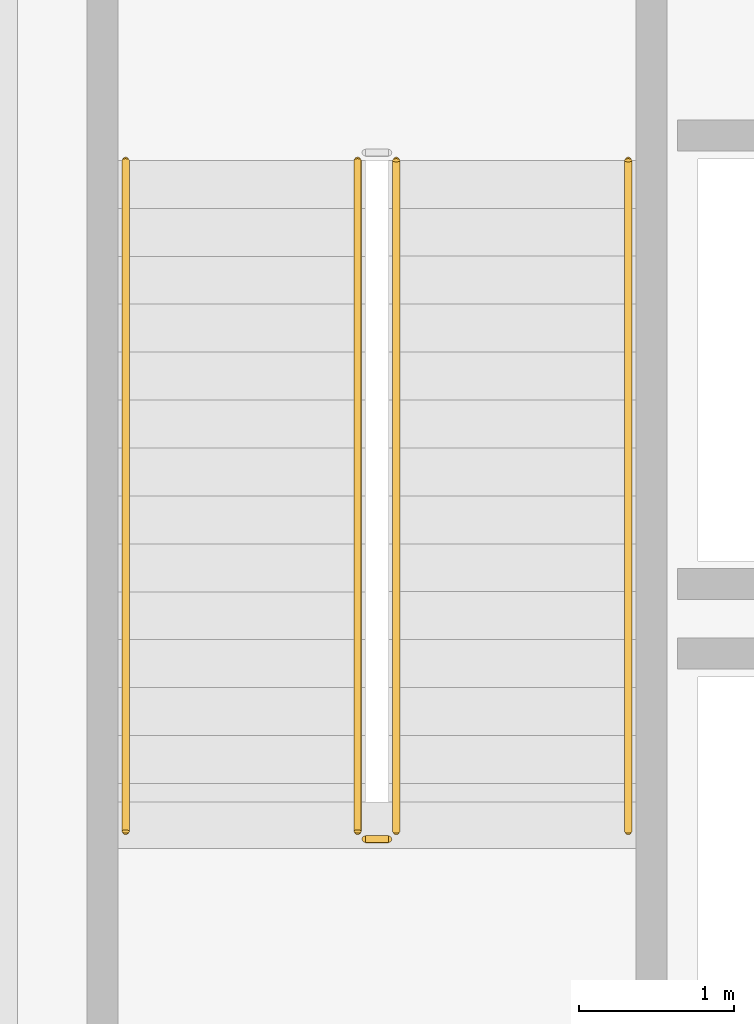
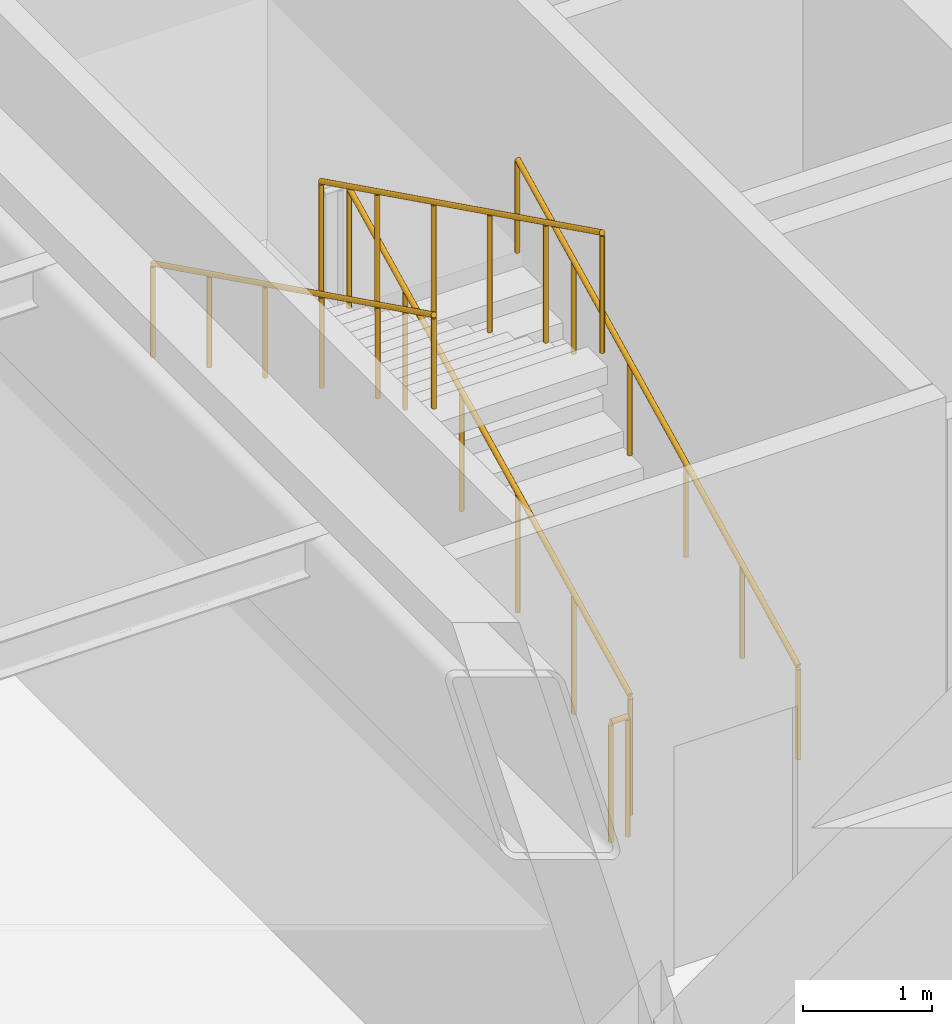
# One storey, part 15 of 20: 5 railings.
"""IFC4 building model written with IfcOpenShell, lengths in metres."""

from ifc_helpers import new_model, si_unit, direction, frame, origin, origin_2d, place, context, subcontext, project, spatial, circle, extrude, material, type_object, element, save


model = new_model("IFC4")

# Units and contexts
model_context = context("Model", 3, precision=1e-05, world=origin(), true_north=direction((0.0, 1.0)))
body_context = subcontext(model_context, "Body", "Model", "MODEL_VIEW")
ifc_project = project(units=[si_unit("LENGTHUNIT", "METRE"), si_unit("AREAUNIT", "SQUARE_METRE"), si_unit("VOLUMEUNIT", "CUBIC_METRE"), si_unit("PLANEANGLEUNIT", "RADIAN"), si_unit("MASSUNIT", "GRAM", prefix="KILO")], contexts=[model_context])

# Site, building, storey
site_placement = place(None, origin())
site = spatial("IfcSite", under=ifc_project, at=site_placement, CompositionType="ELEMENT")
building_placement = place(site_placement, origin())
building = spatial("IfcBuilding", under=site, at=building_placement, Name="Vaeldorn Concourse Tower", CompositionType="ELEMENT")
storey_placement = place(building_placement, frame((0.0, 0.0, 299.199951171875)))
storey = spatial("IfcBuildingStorey", under=building, at=storey_placement, Name="L77", CompositionType="ELEMENT", Elevation=299.199951171875)

# Railings
ifc_material = material(Name="Anodised Bronze Aluminium", Category="aluminium")
railing_type_1 = type_object("IfcRailingType", Name="RL-STAIR-GUARD", PredefinedType="GUARDRAIL", material=ifc_material)
railing_1_placement = place(storey_placement, frame((16.85009765625, 41.60009765625, 0.1533203125)))
element("IfcRailing", 1, at=railing_1_placement, inside=storey, type_object=railing_type_1, Name="L77 ST-1 stair guard 1", PredefinedType="GUARDRAIL", context=body_context, shape_type="SweptSolid", body=[
    extrude(circle(Radius=0.02392578125, at=origin_2d()), frame((0.0, 0.0, 1.1259765625), z_axis=(0.0, 0.896335089171, 0.443377274926), x_axis=(-1.0, 0.0, 0.0)), (0.0, 0.0, 1.0), 4.841796875),
    extrude(circle(Radius=0.02099609375, at=origin_2d()), origin(), (0.0, 0.0, 1.0), 1.101806640625),
    extrude(circle(Radius=0.02099609375, at=origin_2d()), frame((0.0, 0.867919921875, 0.429443359375)), (0.0, 0.0, 1.0), 1.101806640625),
    extrude(circle(Radius=0.02099609375, at=origin_2d()), frame((0.0, 1.73583984375, 0.858642578125)), (0.0, 0.0, 1.0), 1.101806640625),
    extrude(circle(Radius=0.02099609375, at=origin_2d()), frame((0.0, 2.60400390625, 1.2880859375)), (0.0, 0.0, 1.0), 1.101806640625),
    extrude(circle(Radius=0.02099609375, at=origin_2d()), frame((0.0, 3.471923828125, 1.71728515625)), (0.0, 0.0, 1.0), 1.101806640625),
    extrude(circle(Radius=0.02099609375, at=origin_2d()), frame((0.0, 4.33984375, 2.146728515625)), (0.0, 0.0, 1.0), 1.101806640625),
])
railing_2_placement = place(storey_placement, frame((16.60009765625, 45.93994140625, 2.453369140625)))
element("IfcRailing", 2, at=railing_2_placement, inside=storey, type_object=railing_type_1, Name="L77 ST-1 stair guard 3", PredefinedType="GUARDRAIL", context=body_context, shape_type="SweptSolid", body=[
    extrude(circle(Radius=0.02392578125, at=origin_2d()), frame((0.0, 0.0, 1.1259765625), z_axis=(0.0, -0.896335089171, 0.443377274926), x_axis=(1.0, 0.0, 0.0)), (0.0, 0.0, 1.0), 4.841796875),
    extrude(circle(Radius=0.02099609375, at=origin_2d()), origin(), (0.0, 0.0, 1.0), 1.101806640625),
    extrude(circle(Radius=0.02099609375, at=origin_2d()), frame((0.0, -0.867919921875, 0.429443359375)), (0.0, 0.0, 1.0), 1.101806640625),
    extrude(circle(Radius=0.02099609375, at=origin_2d()), frame((0.0, -1.73583984375, 0.858642578125)), (0.0, 0.0, 1.0), 1.101806640625),
    extrude(circle(Radius=0.02099609375, at=origin_2d()), frame((0.0, -2.60400390625, 1.2880859375)), (0.0, 0.0, 1.0), 1.101806640625),
    extrude(circle(Radius=0.02099609375, at=origin_2d()), frame((0.0, -3.471923828125, 1.71728515625)), (0.0, 0.0, 1.0), 1.101806640625),
    extrude(circle(Radius=0.02099609375, at=origin_2d()), frame((0.0, -4.33984375, 2.146728515625)), (0.0, 0.0, 1.0), 1.101806640625),
])
railing_3_placement = place(storey_placement, frame((16.800048828125, 41.550048828125, 0.0)))
element("IfcRailing", 3, at=railing_3_placement, inside=storey, type_object=railing_type_1, Name="L77 ST-1 stair guard 4", PredefinedType="GUARDRAIL", context=body_context, shape_type="SweptSolid", body=[
    extrude(circle(Radius=0.02392578125, at=origin_2d()), frame((0.0, 0.0, 1.1259765625), z_axis=(-1.0, 0.0, 0.0), x_axis=(0.0, -1.0, 0.0)), (0.0, 0.0, 1.0), 0.150146484375),
    extrude(circle(Radius=0.02099609375, at=origin_2d()), origin(), (0.0, 0.0, 1.0), 1.101806640625),
    extrude(circle(Radius=0.02099609375, at=origin_2d()), frame((-0.150146484375, 0.0, 0.0)), (0.0, 0.0, 1.0), 1.101806640625),
])
railing_type_2 = type_object("IfcRailingType", Name="RL-STAIR-HANDRAIL", PredefinedType="HANDRAIL", material=ifc_material)
railing_4_placement = place(storey_placement, frame((18.35009765625, 41.60009765625, 0.1533203125)))
element("IfcRailing", 4, at=railing_4_placement, inside=storey, type_object=railing_type_2, Name="L77 ST-1 stair handrail 1", PredefinedType="HANDRAIL", context=body_context, shape_type="SweptSolid", body=[
    extrude(circle(Radius=0.02392578125, at=origin_2d()), frame((0.0, 0.0, 0.8759765625), z_axis=(0.0, 0.896335089171, 0.443377274926), x_axis=(-1.0, 0.0, 0.0)), (0.0, 0.0, 1.0), 4.841796875),
    extrude(circle(Radius=0.02099609375, at=origin_2d()), origin(), (0.0, 0.0, 1.0), 0.851806640625),
    extrude(circle(Radius=0.02099609375, at=origin_2d()), frame((0.0, 0.867919921875, 0.429443359375)), (0.0, 0.0, 1.0), 0.851806640625),
    extrude(circle(Radius=0.02099609375, at=origin_2d()), frame((0.0, 1.73583984375, 0.858642578125)), (0.0, 0.0, 1.0), 0.851806640625),
    extrude(circle(Radius=0.02099609375, at=origin_2d()), frame((0.0, 2.60400390625, 1.2880859375)), (0.0, 0.0, 1.0), 0.851806640625),
    extrude(circle(Radius=0.02099609375, at=origin_2d()), frame((0.0, 3.471923828125, 1.71728515625)), (0.0, 0.0, 1.0), 0.851806640625),
    extrude(circle(Radius=0.02099609375, at=origin_2d()), frame((0.0, 4.33984375, 2.146728515625)), (0.0, 0.0, 1.0), 0.851806640625),
])
railing_5_placement = place(storey_placement, frame((15.10009765625, 45.93994140625, 2.453369140625)))
element("IfcRailing", 5, at=railing_5_placement, inside=storey, type_object=railing_type_2, Name="L77 ST-1 stair handrail 2", PredefinedType="HANDRAIL", context=body_context, shape_type="SweptSolid", body=[
    extrude(circle(Radius=0.02392578125, at=origin_2d()), frame((0.0, 0.0, 0.8759765625), z_axis=(0.0, -0.896335089171, 0.443377274926), x_axis=(1.0, 0.0, 0.0)), (0.0, 0.0, 1.0), 4.841796875),
    extrude(circle(Radius=0.02099609375, at=origin_2d()), origin(), (0.0, 0.0, 1.0), 0.851806640625),
    extrude(circle(Radius=0.02099609375, at=origin_2d()), frame((0.0, -0.867919921875, 0.429443359375)), (0.0, 0.0, 1.0), 0.851806640625),
    extrude(circle(Radius=0.02099609375, at=origin_2d()), frame((0.0, -1.73583984375, 0.858642578125)), (0.0, 0.0, 1.0), 0.851806640625),
    extrude(circle(Radius=0.02099609375, at=origin_2d()), frame((0.0, -2.60400390625, 1.2880859375)), (0.0, 0.0, 1.0), 0.851806640625),
    extrude(circle(Radius=0.02099609375, at=origin_2d()), frame((0.0, -3.471923828125, 1.71728515625)), (0.0, 0.0, 1.0), 0.851806640625),
    extrude(circle(Radius=0.02099609375, at=origin_2d()), frame((0.0, -4.33984375, 2.146728515625)), (0.0, 0.0, 1.0), 0.851806640625),
])

save(model, "model.ifc")
